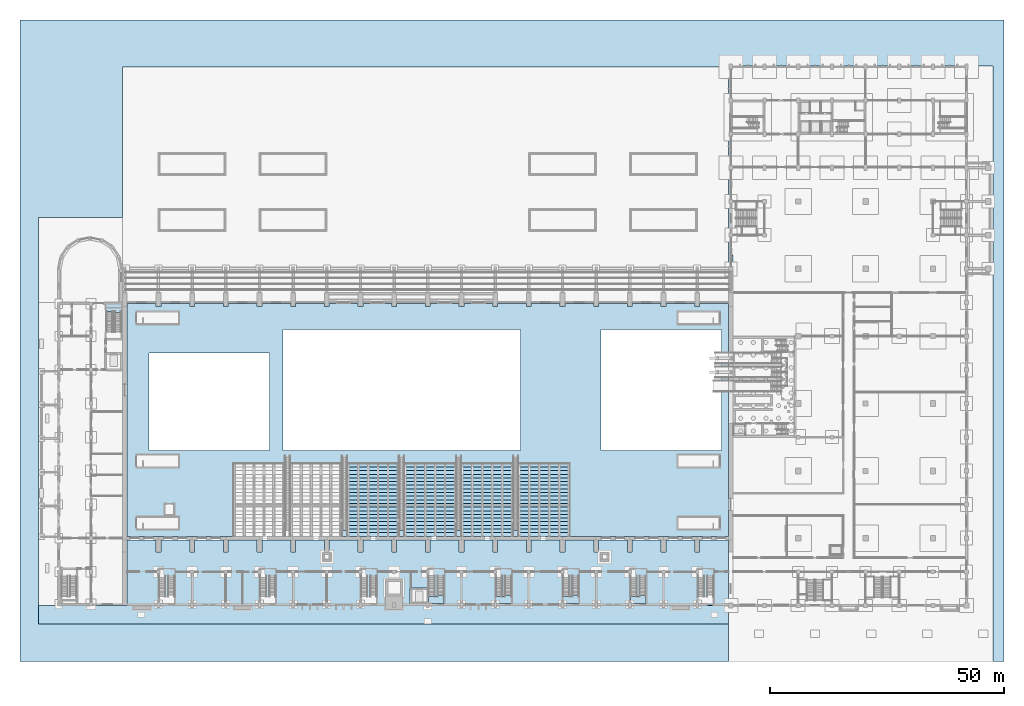
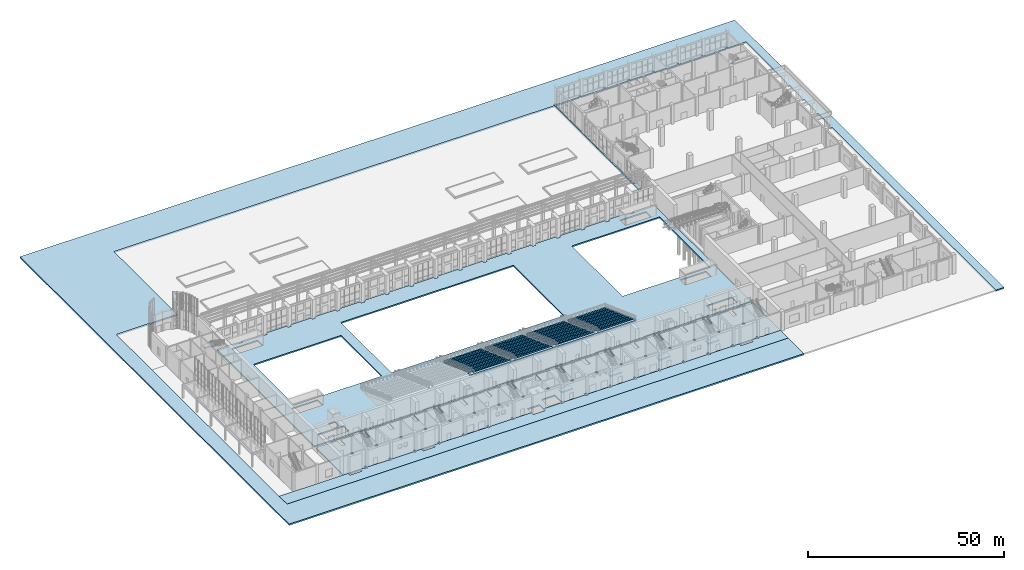
# One storey, part 30 of 70: 17 slabs, 9 elements without a shape of their own.
"""IFC4 building model written with IfcOpenShell, lengths in metres."""

from ifc_helpers import new_model, si_unit, direction, frame, origin, place, context, subcontext, project, spatial, polyline, outline, extrude, material, layer, layer_set, type_object, element, aggregate, save


model = new_model("IFC4")

# Units and contexts
model_context = context("Model", 3, precision=1e-05, world=origin(), true_north=direction((0.0, 1.0)))
body_context = subcontext(model_context, "Body", "Model", "MODEL_VIEW")
ifc_project = project(units=[si_unit("LENGTHUNIT", "METRE"), si_unit("AREAUNIT", "SQUARE_METRE"), si_unit("VOLUMEUNIT", "CUBIC_METRE"), si_unit("PLANEANGLEUNIT", "RADIAN"), si_unit("MASSUNIT", "GRAM", prefix="KILO")], contexts=[model_context])

# Site, building, storey
site_placement = place(None, origin())
site = spatial("IfcSite", under=ifc_project, at=site_placement, CompositionType="ELEMENT")
building_placement = place(site_placement, origin())
building = spatial("IfcBuilding", under=site, at=building_placement, Name="Vermilion Court Aquatics Centre", CompositionType="ELEMENT")
storey_placement = place(building_placement, origin())
storey = spatial("IfcBuildingStorey", under=building, at=storey_placement, Name="L00", CompositionType="ELEMENT", Elevation=0.0)

# Stair, slab
ifc_material_1 = material(Name="Concrete 5000 psi", Category="concrete")
stair_type_1 = type_object("IfcStairType", Name="Foyer exit stair", PredefinedType="HALF_TURN_STAIR", material=ifc_material_1)
stair_1_placement = place(storey_placement, origin())
stair_1 = element("IfcStair", 1, at=stair_1_placement, inside=storey, type_object=stair_type_1, Name="Exit stair F2", PredefinedType="HALF_TURN_STAIR")
ifc_material_2 = material(Name="Concrete 5000 psi", Category="concrete")
ifc_layer_1 = layer(ifc_material_2, 0.425048828125)
ifc_layer_set_1 = layer_set([ifc_layer_1], Name="Foyer exit stair landing 425")
slab_type_1 = type_object("IfcSlabType", Name="Foyer exit stair landing 425", PredefinedType="LANDING", material=ifc_layer_set_1)
slab_1_placement = place(storey_placement, frame((0.0, 0.0, 2.574951171875)))
slab_1 = element("IfcSlab", 2, at=slab_1_placement, type_object=slab_type_1, Name="FST1 landing 1", PredefinedType="LANDING", context=body_context, shape_type="SweptSolid", body=[
    extrude(outline(polyline([(10.425048828125, 64.449951171875), (10.425048828125, 62.8798828125), (12.25, 62.8798828125), (12.25, 62.6298828125), (13.64990234375, 62.6298828125), (13.64990234375, 64.449951171875), (10.425048828125, 64.449951171875)])), origin(), (0.0, 0.0, 1.0), 0.425048828125),
])
aggregate(stair_1, [slab_1])

# Slabs
ifc_material_3 = material(Name="Concrete 5000 psi", Category="concrete")
ifc_layer_2 = layer(ifc_material_3, 0.405029296875)
ifc_layer_set_2 = layer_set([ifc_layer_2], Name="Hall pool deck slab 405")
slab_type_2 = type_object("IfcSlabType", Name="Hall pool deck slab 405", PredefinedType="FLOOR", material=ifc_layer_set_2)
slab_2_placement = place(storey_placement, frame((0.0, 0.0, -0.405029296875)))
element("IfcSlab", 3, at=slab_2_placement, inside=storey, type_object=slab_type_2, Name="Pool deck slab", PredefinedType="FLOOR", context=body_context, shape_type="SweptSolid", body=[
    extrude(outline(polyline([(14.89990234375, 64.550048828125), (21.10009765625, 64.550048828125), (21.10009765625, 63.89990234375), (22.10009765625, 63.89990234375), (22.10009765625, 64.550048828125), (28.300048828125, 64.550048828125), (28.300048828125, 63.89990234375), (29.300048828125, 63.89990234375), (29.300048828125, 64.550048828125), (35.5, 64.550048828125), (35.5, 63.89990234375), (36.5, 63.89990234375), (36.5, 64.550048828125), (42.699951171875, 64.550048828125), (42.699951171875, 63.89990234375), (43.699951171875, 63.89990234375), (43.699951171875, 64.550048828125), (49.89990234375, 64.550048828125), (49.89990234375, 63.89990234375), (50.89990234375, 63.89990234375), (50.89990234375, 64.550048828125), (57.10009765625, 64.550048828125), (57.10009765625, 63.89990234375), (58.10009765625, 63.89990234375), (58.10009765625, 64.550048828125), (64.300048828125, 64.550048828125), (64.300048828125, 63.89990234375), (65.300048828125, 63.89990234375), (65.300048828125, 64.550048828125), (71.5, 64.550048828125), (71.5, 63.89990234375), (72.5, 63.89990234375), (72.5, 64.550048828125), (78.699951171875, 64.550048828125), (78.699951171875, 63.89990234375), (79.699951171875, 63.89990234375), (79.699951171875, 64.550048828125), (85.89990234375, 64.550048828125), (85.89990234375, 63.89990234375), (86.89990234375, 63.89990234375), (86.89990234375, 64.550048828125), (93.10009765625, 64.550048828125), (93.10009765625, 63.89990234375), (94.10009765625, 63.89990234375), (94.10009765625, 64.550048828125), (100.300048828125, 64.550048828125), (100.300048828125, 63.89990234375), (101.300048828125, 63.89990234375), (101.300048828125, 64.550048828125), (107.5, 64.550048828125), (107.5, 63.89990234375), (108.5, 63.89990234375), (108.5, 64.550048828125), (114.699951171875, 64.550048828125), (114.699951171875, 63.89990234375), (115.699951171875, 63.89990234375), (115.699951171875, 64.550048828125), (121.89990234375, 64.550048828125), (121.89990234375, 63.89990234375), (122.89990234375, 63.89990234375), (122.89990234375, 64.550048828125), (129.10009765625, 64.550048828125), (129.10009765625, 63.89990234375), (130.10009765625, 63.89990234375), (130.10009765625, 64.550048828125), (136.300048828125, 64.550048828125), (136.300048828125, 63.89990234375), (137.300048828125, 63.89990234375), (137.300048828125, 64.550048828125), (143.5, 64.550048828125), (143.5, 63.89990234375), (143.5, 14.800048828125), (14.89990234375, 14.800048828125), (14.89990234375, 63.89990234375), (14.89990234375, 64.550048828125)]), holes=[polyline([(18.35009765625, 18.89990234375), (18.35009765625, 16.300048828125), (25.89990234375, 16.300048828125), (25.89990234375, 18.89990234375), (18.35009765625, 18.89990234375)]), polyline([(132.64990234375, 18.89990234375), (132.64990234375, 16.300048828125), (140.199951171875, 16.300048828125), (140.199951171875, 18.89990234375), (132.64990234375, 18.89990234375)]), polyline([(23.0, 21.699951171875), (23.0, 19.39990234375), (24.89990234375, 19.39990234375), (24.89990234375, 21.699951171875), (23.0, 21.699951171875)]), polyline([(25.89990234375, 32.199951171875), (18.35009765625, 32.199951171875), (18.35009765625, 29.60009765625), (25.89990234375, 29.60009765625), (25.89990234375, 32.199951171875)]), polyline([(140.199951171875, 32.199951171875), (132.64990234375, 32.199951171875), (132.64990234375, 29.60009765625), (140.199951171875, 29.60009765625), (140.199951171875, 32.199951171875)]), polyline([(19.60009765625, 54.0), (19.60009765625, 33.199951171875), (45.39990234375, 33.199951171875), (45.39990234375, 54.0), (19.60009765625, 54.0)]), polyline([(48.199951171875, 59.0), (48.199951171875, 33.199951171875), (99.0, 33.199951171875), (99.0, 59.0), (48.199951171875, 59.0)]), polyline([(116.199951171875, 59.0), (116.199951171875, 33.199951171875), (142.0, 33.199951171875), (142.0, 59.0), (116.199951171875, 59.0)]), polyline([(25.89990234375, 62.800048828125), (18.35009765625, 62.800048828125), (18.35009765625, 60.199951171875), (25.89990234375, 60.199951171875), (25.89990234375, 62.800048828125)]), polyline([(140.199951171875, 62.800048828125), (132.64990234375, 62.800048828125), (132.64990234375, 60.199951171875), (140.199951171875, 60.199951171875), (140.199951171875, 62.800048828125)])]), origin(), (0.0, 0.0, 1.0), 0.405029296875),
])
ifc_material_4 = material(Name="Concrete 4000 psi", Category="concrete")
ifc_layer_3 = layer(ifc_material_4, 0.449951171875)
ifc_layer_set_3 = layer_set([ifc_layer_3], Name="Site ground slab 450")
slab_type_3 = type_object("IfcSlabType", Name="Site ground slab 450", PredefinedType="FLOOR", material=ifc_layer_set_3)
slab_3_placement = place(storey_placement, frame((0.0, 0.0, -0.449951171875)))
element("IfcSlab", 4, at=slab_3_placement, inside=storey, type_object=slab_type_3, Name="Site ground slab", PredefinedType="FLOOR", context=body_context, shape_type="SweptSolid", body=[
    extrude(outline(polyline([(-8.0, 125.199951171875), (202.39990234375, 125.199951171875), (202.39990234375, -12.0), (199.9990234375, -12.0), (200.0, -12.0), (200.0, -11.9990234375), (200.0, 71.39892578125), (200.0, 71.39990234375), (199.9990234375, 71.39990234375), (199.60009765625, 71.39990234375), (199.60009765625, 72.60009765625), (199.9990234375, 72.60009765625), (200.0, 72.60009765625), (200.0, 72.60107421875), (200.0, 78.59912109375), (200.0, 78.60009765625), (199.9990234375, 78.60009765625), (198.449951171875, 78.60009765625), (198.449951171875, 78.60009765625), (199.60009765625, 78.60009765625), (199.60009765625, 79.800048828125), (199.9990234375, 79.800048828125), (200.0, 79.800048828125), (200.0, 79.801025390625), (200.0, 85.799072265625), (200.0, 85.800048828125), (199.9990234375, 85.800048828125), (198.449951171875, 85.800048828125), (198.449951171875, 85.800048828125), (199.60009765625, 85.800048828125), (199.60009765625, 87.0), (199.9990234375, 87.0), (200.0, 87.0), (200.0, 87.0009765625), (200.0, 92.9990234375), (200.0, 93.0), (199.9990234375, 93.0), (199.60009765625, 93.0), (199.60009765625, 94.199951171875), (198.449951171875, 94.199951171875), (198.449951171875, 94.199951171875), (199.9990234375, 94.199951171875), (200.0, 94.199951171875), (200.0, 94.200927734375), (200.0, 115.34912109375), (200.0, 115.35009765625), (199.9990234375, 115.35009765625), (194.75, 115.35009765625), (194.75, 115.75), (194.050048828125, 115.75), (194.050048828125, 115.35009765625), (187.550048828125, 115.35009765625), (187.550048828125, 115.75), (186.85009765625, 115.75), (186.85009765625, 115.35009765625), (180.35009765625, 115.35009765625), (180.35009765625, 115.75), (179.64990234375, 115.75), (179.64990234375, 115.35009765625), (173.14990234375, 115.35009765625), (173.14990234375, 115.75), (172.449951171875, 115.75), (172.449951171875, 115.35009765625), (165.949951171875, 115.35009765625), (165.949951171875, 115.75), (165.25, 115.75), (165.25, 115.35009765625), (158.75, 115.35009765625), (158.75, 115.75), (158.050048828125, 115.75), (158.050048828125, 115.35009765625), (151.550048828125, 115.35009765625), (151.550048828125, 115.75), (150.85009765625, 115.75), (150.85009765625, 115.35009765625), (144.35009765625, 115.35009765625), (144.35009765625, 115.75), (143.64990234375, 115.75), (143.64990234375, 114.64990234375), (143.85009765625, 114.64990234375), (143.85009765625, 108.550048828125), (143.64990234375, 108.550048828125), (143.64990234375, 107.449951171875), (143.85009765625, 107.449951171875), (143.85009765625, 101.35009765625), (143.64990234375, 101.35009765625), (143.64990234375, 100.25), (143.85009765625, 100.25), (143.85009765625, 94.14990234375), (143.64990234375, 94.14990234375), (143.64990234375, 93.050048828125), (143.85009765625, 93.050048828125), (143.85009765625, 86.85009765625), (143.60009765625, 86.85009765625), (143.60009765625, 85.949951171875), (143.85009765625, 85.949951171875), (143.85009765625, 79.64990234375), (143.60009765625, 79.64990234375), (143.60009765625, 78.75), (143.85009765625, 78.75), (143.85009765625, 75.0009765625), (143.85009765625, 75.0), (143.85107421875, 75.0), (144.449951171875, 75.0), (144.455078125, 75.0), (144.4599609375, 74.9990234375), (144.465087890625, 74.998046875), (144.468994140625, 74.99609375), (144.47412109375, 74.993896484375), (144.47802734375, 74.991943359375), (144.48193359375, 74.989013671875), (144.485107421875, 74.985107421875), (144.489013671875, 74.98193359375), (144.491943359375, 74.97802734375), (144.493896484375, 74.97412109375), (144.49609375, 74.968994140625), (144.498046875, 74.965087890625), (144.4990234375, 74.9599609375), (144.5, 74.955078125), (144.5, 74.949951171875), (144.5, 72.449951171875), (143.5, 72.449951171875), (143.5, 115.198974609375), (143.5, 115.199951171875), (143.4990234375, 115.199951171875), (13.90087890625, 115.199951171875), (13.89990234375, 115.199951171875), (13.89990234375, 115.198974609375), (13.89990234375, 83.050048828125), (13.89990234375, 83.044921875), (13.89892578125, 83.0400390625), (13.89794921875, 83.034912109375), (13.89599609375, 83.031005859375), (13.89404296875, 83.02587890625), (13.89208984375, 83.02197265625), (13.888916015625, 83.01806640625), (13.885009765625, 83.014892578125), (13.882080078125, 83.010986328125), (13.8779296875, 83.008056640625), (13.8740234375, 83.006103515625), (13.868896484375, 83.00390625), (13.864990234375, 83.001953125), (13.860107421875, 83.0009765625), (13.85498046875, 83.0), (13.85009765625, 83.0), (-3.9990234375, 83.0), (-4.0, 83.0), (-4.0, 82.9990234375), (-4.0, -3.9990234375), (-4.0, -4.0), (-3.9990234375, -4.0), (143.449951171875, -4.0), (143.455078125, -4.0), (143.4599609375, -4.0009765625), (143.465087890625, -4.001953125), (143.468994140625, -4.00390625), (143.47412109375, -4.006103515625), (143.47802734375, -4.008056640625), (143.48193359375, -4.010986328125), (143.485107421875, -4.014892578125), (143.489013671875, -4.01806640625), (143.491943359375, -4.02197265625), (143.493896484375, -4.02587890625), (143.49609375, -4.031005859375), (143.498046875, -4.034912109375), (143.4990234375, -4.0400390625), (143.5, -4.044921875), (143.5, -4.050048828125), (143.5, -11.9990234375), (143.5, -12.0), (143.5009765625, -12.0), (-8.0, -12.0), (-8.0, 125.199951171875)])), origin(), (0.0, 0.0, 1.0), 0.449951171875),
])

# Stair, slab
ifc_material_5 = material(Name="Concrete 5000 psi", Category="concrete")
stair_type_2 = type_object("IfcStairType", Name="South exit stair", PredefinedType="HALF_TURN_STAIR", material=ifc_material_5)
stair_2_placement = place(storey_placement, origin())
stair_2 = element("IfcStair", 5, at=stair_2_placement, inside=storey, type_object=stair_type_2, Name="Exit stair S4", PredefinedType="HALF_TURN_STAIR")
ifc_material_6 = material(Name="Concrete 5000 psi", Category="concrete")
ifc_layer_4 = layer(ifc_material_6, 0.199951171875)
ifc_layer_set_4 = layer_set([ifc_layer_4], Name="South exit stair landing 200")
slab_type_4 = type_object("IfcSlabType", Name="South exit stair landing 200", PredefinedType="LANDING", material=ifc_layer_set_4)
slab_4_placement = place(storey_placement, frame((0.0, 0.0, 2.594970703125)))
slab_4 = element("IfcSlab", 6, at=slab_4_placement, type_object=slab_type_4, Name="SST1 landing 1", PredefinedType="LANDING", context=body_context, shape_type="SweptSolid", body=[
    extrude(outline(polyline([(79.324951171875, 0.39990234375), (82.675048828125, 0.39990234375), (82.675048828125, 2.219970703125), (81.27490234375, 2.219970703125), (81.27490234375, 1.969970703125), (79.324951171875, 1.969970703125), (79.324951171875, 0.39990234375)])), origin(), (0.0, 0.0, 1.0), 0.405029296875),
])
aggregate(stair_2, [slab_4])

stair_3_placement = place(storey_placement, origin())
stair_3 = element("IfcStair", 7, at=stair_3_placement, inside=storey, type_object=stair_type_2, Name="Exit stair S5", PredefinedType="HALF_TURN_STAIR")
slab_5_placement = place(storey_placement, frame((0.0, 0.0, 2.594970703125)))
slab_5 = element("IfcSlab", 8, at=slab_5_placement, type_object=slab_type_4, Name="SST1 landing 1", PredefinedType="LANDING", context=body_context, shape_type="SweptSolid", body=[
    extrude(outline(polyline([(93.72509765625, 0.39990234375), (97.074951171875, 0.39990234375), (97.074951171875, 2.219970703125), (95.675048828125, 2.219970703125), (95.675048828125, 1.969970703125), (93.72509765625, 1.969970703125), (93.72509765625, 0.39990234375)])), origin(), (0.0, 0.0, 1.0), 0.405029296875),
])
aggregate(stair_3, [slab_5])

stair_4_placement = place(storey_placement, origin())
stair_4 = element("IfcStair", 9, at=stair_4_placement, inside=storey, type_object=stair_type_2, Name="Exit stair S6", PredefinedType="HALF_TURN_STAIR")
slab_6_placement = place(storey_placement, frame((0.0, 0.0, 2.594970703125)))
slab_6 = element("IfcSlab", 10, at=slab_6_placement, type_object=slab_type_4, Name="SST1 landing 1", PredefinedType="LANDING", context=body_context, shape_type="SweptSolid", body=[
    extrude(outline(polyline([(108.125, 0.39990234375), (111.47509765625, 0.39990234375), (111.47509765625, 2.219970703125), (110.074951171875, 2.219970703125), (110.074951171875, 1.969970703125), (108.125, 1.969970703125), (108.125, 0.39990234375)])), origin(), (0.0, 0.0, 1.0), 0.405029296875),
])
aggregate(stair_4, [slab_6])

stair_5_placement = place(storey_placement, origin())
stair_5 = element("IfcStair", 11, at=stair_5_placement, inside=storey, type_object=stair_type_2, Name="Exit stair S7", PredefinedType="HALF_TURN_STAIR")
slab_7_placement = place(storey_placement, frame((0.0, 0.0, 2.594970703125)))
slab_7 = element("IfcSlab", 12, at=slab_7_placement, type_object=slab_type_4, Name="SST1 landing 1", PredefinedType="LANDING", context=body_context, shape_type="SweptSolid", body=[
    extrude(outline(polyline([(122.52490234375, 0.39990234375), (125.875, 0.39990234375), (125.875, 2.219970703125), (124.47509765625, 2.219970703125), (124.47509765625, 1.969970703125), (122.52490234375, 1.969970703125), (122.52490234375, 0.39990234375)])), origin(), (0.0, 0.0, 1.0), 0.405029296875),
])
aggregate(stair_5, [slab_7])

# Slabs
ifc_material_7 = material(Name="Concrete 5000 psi", Category="concrete")
ifc_layer_5 = layer(ifc_material_7, 0.405029296875)
ifc_layer_set_5 = layer_set([ifc_layer_5], Name="South ground slab 405")
slab_type_5 = type_object("IfcSlabType", Name="South ground slab 405", PredefinedType="BASESLAB", material=ifc_layer_set_5)
slab_8_placement = place(storey_placement, frame((0.0, 0.0, -0.405029296875)))
element("IfcSlab", 13, at=slab_8_placement, inside=storey, type_object=slab_type_5, Name="South range ground slab", PredefinedType="BASESLAB", context=body_context, shape_type="SweptSolid", body=[
    extrude(outline(polyline([(14.89990234375, 0.0), (14.89990234375, 14.0), (21.10009765625, 14.0), (21.10009765625, 11.39990234375), (22.10009765625, 11.39990234375), (22.10009765625, 14.0), (28.300048828125, 14.0), (28.300048828125, 11.39990234375), (29.300048828125, 11.39990234375), (29.300048828125, 14.0), (35.5, 14.0), (35.5, 11.39990234375), (36.5, 11.39990234375), (36.5, 14.0), (42.699951171875, 14.0), (42.699951171875, 11.39990234375), (43.699951171875, 11.39990234375), (43.699951171875, 14.0), (49.89990234375, 14.0), (49.89990234375, 11.39990234375), (50.89990234375, 11.39990234375), (50.89990234375, 14.0), (57.10009765625, 14.0), (57.10009765625, 11.39990234375), (58.10009765625, 11.39990234375), (58.10009765625, 14.0), (64.300048828125, 14.0), (64.300048828125, 11.39990234375), (65.300048828125, 11.39990234375), (65.300048828125, 14.0), (71.5, 14.0), (71.5, 11.39990234375), (72.5, 11.39990234375), (72.5, 14.0), (78.699951171875, 14.0), (78.699951171875, 11.39990234375), (79.699951171875, 11.39990234375), (79.699951171875, 14.0), (85.89990234375, 14.0), (85.89990234375, 11.39990234375), (86.89990234375, 11.39990234375), (86.89990234375, 14.0), (93.10009765625, 14.0), (93.10009765625, 11.39990234375), (94.10009765625, 11.39990234375), (94.10009765625, 14.0), (100.300048828125, 14.0), (100.300048828125, 11.39990234375), (101.300048828125, 11.39990234375), (101.300048828125, 14.0), (107.5, 14.0), (107.5, 11.39990234375), (108.5, 11.39990234375), (108.5, 14.0), (114.699951171875, 14.0), (114.699951171875, 11.39990234375), (115.699951171875, 11.39990234375), (115.699951171875, 14.0), (121.89990234375, 14.0), (121.89990234375, 11.39990234375), (122.89990234375, 11.39990234375), (122.89990234375, 14.0), (129.10009765625, 14.0), (129.10009765625, 11.39990234375), (130.10009765625, 11.39990234375), (130.10009765625, 14.0), (136.300048828125, 14.0), (136.300048828125, 11.39990234375), (137.300048828125, 11.39990234375), (137.300048828125, 14.0), (143.5, 14.0), (143.5, 0.449951171875), (143.550048828125, 0.449951171875), (143.550048828125, 0.0), (143.5, 0.0), (137.10009765625, 0.0), (137.10009765625, 0.60009765625), (136.5, 0.60009765625), (136.5, 0.0), (129.89990234375, 0.0), (129.89990234375, 0.60009765625), (129.300048828125, 0.60009765625), (129.300048828125, 0.0), (122.699951171875, 0.0), (122.699951171875, 0.60009765625), (122.10009765625, 0.60009765625), (122.10009765625, 0.0), (115.5, 0.0), (115.5, 0.60009765625), (114.89990234375, 0.60009765625), (114.89990234375, 0.0), (108.300048828125, 0.0), (108.300048828125, 0.60009765625), (107.699951171875, 0.60009765625), (107.699951171875, 0.0), (101.10009765625, 0.0), (101.10009765625, 0.60009765625), (100.5, 0.60009765625), (100.5, 0.0), (93.89990234375, 0.0), (93.89990234375, 0.60009765625), (93.300048828125, 0.60009765625), (93.300048828125, 0.0), (86.699951171875, 0.0), (86.699951171875, 0.60009765625), (86.10009765625, 0.60009765625), (86.10009765625, 0.0), (79.5, 0.0), (79.5, 0.60009765625), (79.324951171875, 0.60009765625), (79.324951171875, 3.77490234375), (75.425048828125, 3.77490234375), (75.425048828125, 0.39990234375), (78.89990234375, 0.39990234375), (78.89990234375, 0.0), (73.800048828125, 0.0), (73.800048828125, 2.0), (70.199951171875, 2.0), (70.199951171875, 0.0), (65.10009765625, 0.0), (65.10009765625, 0.60009765625), (64.5, 0.60009765625), (64.5, 0.0), (57.89990234375, 0.0), (57.89990234375, 0.60009765625), (57.300048828125, 0.60009765625), (57.300048828125, 0.0), (50.699951171875, 0.0), (50.699951171875, 0.60009765625), (50.10009765625, 0.60009765625), (50.10009765625, 0.0), (43.5, 0.0), (43.5, 0.60009765625), (42.89990234375, 0.60009765625), (42.89990234375, 0.0), (36.300048828125, 0.0), (36.300048828125, 0.60009765625), (35.699951171875, 0.60009765625), (35.699951171875, 0.0), (29.10009765625, 0.0), (29.10009765625, 0.60009765625), (28.5, 0.60009765625), (28.5, 0.0), (21.89990234375, 0.0), (21.89990234375, 0.60009765625), (21.300048828125, 0.60009765625), (21.300048828125, 0.0), (14.89990234375, 0.0)]), holes=[polyline([(50.699951171875, 6.89990234375), (50.699951171875, 7.5), (50.10009765625, 7.5), (50.10009765625, 6.89990234375), (50.699951171875, 6.89990234375)]), polyline([(72.300048828125, 6.89990234375), (72.300048828125, 7.5), (71.699951171875, 7.5), (71.699951171875, 6.89990234375), (72.300048828125, 6.89990234375)]), polyline([(65.10009765625, 6.89990234375), (65.10009765625, 7.5), (64.5, 7.5), (64.5, 6.89990234375), (65.10009765625, 6.89990234375)]), polyline([(57.89990234375, 6.89990234375), (57.89990234375, 7.5), (57.300048828125, 7.5), (57.300048828125, 6.89990234375), (57.89990234375, 6.89990234375)]), polyline([(43.5, 6.89990234375), (43.5, 7.5), (42.89990234375, 7.5), (42.89990234375, 6.89990234375), (43.5, 6.89990234375)]), polyline([(36.300048828125, 6.89990234375), (36.300048828125, 7.5), (35.699951171875, 7.5), (35.699951171875, 6.89990234375), (36.300048828125, 6.89990234375)]), polyline([(28.5, 6.89990234375), (29.10009765625, 6.89990234375), (29.10009765625, 7.5), (28.5, 7.5), (28.5, 6.89990234375)]), polyline([(21.300048828125, 6.89990234375), (21.89990234375, 6.89990234375), (21.89990234375, 7.5), (21.300048828125, 7.5), (21.300048828125, 6.89990234375)]), polyline([(137.10009765625, 6.89990234375), (137.10009765625, 7.5), (136.5, 7.5), (136.5, 6.89990234375), (137.10009765625, 6.89990234375)]), polyline([(129.89990234375, 6.89990234375), (129.89990234375, 7.5), (129.300048828125, 7.5), (129.300048828125, 6.89990234375), (129.89990234375, 6.89990234375)]), polyline([(122.699951171875, 6.89990234375), (122.699951171875, 7.5), (122.10009765625, 7.5), (122.10009765625, 6.89990234375), (122.699951171875, 6.89990234375)]), polyline([(115.5, 6.89990234375), (115.5, 7.5), (114.89990234375, 7.5), (114.89990234375, 6.89990234375), (115.5, 6.89990234375)]), polyline([(108.300048828125, 6.89990234375), (108.300048828125, 7.5), (107.699951171875, 7.5), (107.699951171875, 6.89990234375), (108.300048828125, 6.89990234375)]), polyline([(101.10009765625, 6.89990234375), (101.10009765625, 7.5), (100.5, 7.5), (100.5, 6.89990234375), (101.10009765625, 6.89990234375)]), polyline([(93.89990234375, 6.89990234375), (93.89990234375, 7.5), (93.300048828125, 7.5), (93.300048828125, 6.89990234375), (93.89990234375, 6.89990234375)]), polyline([(86.10009765625, 6.89990234375), (86.699951171875, 6.89990234375), (86.699951171875, 7.5), (86.10009765625, 7.5), (86.10009765625, 6.89990234375)]), polyline([(78.89990234375, 6.89990234375), (79.5, 6.89990234375), (79.5, 7.5), (78.89990234375, 7.5), (78.89990234375, 6.89990234375)])]), origin(), (0.0, 0.0, 1.0), 0.405029296875),
])
ifc_material_8 = material(Name="Concrete 4000 psi", Category="concrete")
ifc_layer_6 = layer(ifc_material_8, 0.449951171875)
ifc_layer_set_6 = layer_set([ifc_layer_6], Name="South street paving slab 450")
slab_type_6 = type_object("IfcSlabType", Name="South street paving slab 450", PredefinedType="FLOOR", material=ifc_layer_set_6)
slab_9_placement = place(storey_placement, frame((0.0, 0.0, -0.449951171875)))
element("IfcSlab", 14, at=slab_9_placement, inside=storey, type_object=slab_type_6, Name="South street paving", PredefinedType="FLOOR", context=body_context, shape_type="SweptSolid", body=[
    extrude(outline(polyline([(143.5, 0.0), (143.5, -0.14990234375), (143.550048828125, -0.14990234375), (143.550048828125, -0.449951171875), (143.5, -0.449951171875), (143.5, -4.0), (-4.0, -4.0), (-4.0, 0.0), (16.31298828125, 0.0), (16.31298828125, -0.89990234375), (19.9130859375, -0.89990234375), (19.9130859375, 0.0), (21.300048828125, 0.0), (21.300048828125, -0.300048828125), (21.89990234375, -0.300048828125), (21.89990234375, 0.0), (28.5, 0.0), (28.5, -0.300048828125), (29.10009765625, -0.300048828125), (29.10009765625, 0.0), (35.699951171875, 0.0), (35.699951171875, -0.300048828125), (36.300048828125, -0.300048828125), (36.300048828125, 0.0), (37.800048828125, 0.0), (37.800048828125, -0.89990234375), (41.39990234375, -0.89990234375), (41.39990234375, 0.0), (42.89990234375, 0.0), (42.89990234375, -0.300048828125), (43.5, -0.300048828125), (43.5, 0.0), (50.10009765625, 0.0), (50.10009765625, -0.300048828125), (50.699951171875, -0.300048828125), (50.699951171875, 0.0), (57.300048828125, 0.0), (57.300048828125, -0.300048828125), (57.89990234375, -0.300048828125), (57.89990234375, 0.0), (64.5, 0.0), (64.5, -0.300048828125), (65.10009765625, -0.300048828125), (65.10009765625, 0.0), (70.199951171875, 0.0), (70.199951171875, -0.89990234375), (73.800048828125, -0.89990234375), (73.800048828125, 0.0), (78.89990234375, 0.0), (78.89990234375, -0.300048828125), (79.5, -0.300048828125), (79.5, 0.0), (86.10009765625, 0.0), (86.10009765625, -0.300048828125), (86.699951171875, -0.300048828125), (86.699951171875, 0.0), (93.300048828125, 0.0), (93.300048828125, -0.300048828125), (93.89990234375, -0.300048828125), (93.89990234375, 0.0), (100.5, 0.0), (100.5, -0.300048828125), (101.10009765625, -0.300048828125), (101.10009765625, 0.0), (107.699951171875, 0.0), (107.699951171875, -0.300048828125), (108.300048828125, -0.300048828125), (108.300048828125, 0.0), (114.89990234375, 0.0), (114.89990234375, -0.300048828125), (115.5, -0.300048828125), (115.5, 0.0), (122.10009765625, 0.0), (122.10009765625, -0.300048828125), (122.699951171875, -0.300048828125), (122.699951171875, 0.0), (129.300048828125, 0.0), (129.300048828125, -0.300048828125), (129.89990234375, -0.300048828125), (129.89990234375, 0.0), (131.39990234375, 0.0), (131.39990234375, -0.89990234375), (135.0, -0.89990234375), (135.0, 0.0), (136.5, 0.0), (136.5, -0.300048828125), (137.10009765625, -0.300048828125), (137.10009765625, 0.0), (143.5, 0.0)])), origin(), (0.0, 0.0, 1.0), 0.449951171875),
])

# Stair, slab
ifc_material_9 = material(Name="Concrete 5000 psi", Category="concrete")
stair_type_3 = type_object("IfcStairType", Name="Tribune aisle stair", PredefinedType="STRAIGHT_RUN_STAIR", material=ifc_material_9)
stair_6_placement = place(storey_placement, origin())
stair_6 = element("IfcStair", 15, at=stair_6_placement, inside=storey, type_object=stair_type_3, Name="Aisle stair 2", PredefinedType="STRAIGHT_RUN_STAIR")
ifc_material_10 = material(Name="Concrete 5000 psi", Category="concrete")
ifc_layer_7 = layer(ifc_material_10, 0.199951171875)
ifc_layer_set_7 = layer_set([ifc_layer_7], Name="Tribune aisle stair landing 200")
slab_type_7 = type_object("IfcSlabType", Name="Tribune aisle stair landing 200", PredefinedType="LANDING", material=ifc_layer_set_7)
slab_10_placement = place(storey_placement, frame((0.0, 0.0, 5.800048828125)))
slab_10 = element("IfcSlab", 16, at=slab_10_placement, type_object=slab_type_7, Name="TST1 landing 1", PredefinedType="LANDING", context=body_context, shape_type="SweptSolid", body=[
    extrude(outline(polyline([(60.800048828125, 14.800048828125), (62.0, 14.800048828125), (62.0, 16.0), (60.800048828125, 16.0), (60.800048828125, 14.800048828125)])), origin(), (0.0, 0.0, 1.0), 0.199951171875),
])
aggregate(stair_6, [slab_10])

stair_7_placement = place(storey_placement, origin())
stair_7 = element("IfcStair", 17, at=stair_7_placement, inside=storey, type_object=stair_type_3, Name="Aisle stair 3", PredefinedType="STRAIGHT_RUN_STAIR")
slab_11_placement = place(storey_placement, frame((0.0, 0.0, 5.800048828125)))
slab_11 = element("IfcSlab", 18, at=slab_11_placement, type_object=slab_type_7, Name="TST1 landing 1", PredefinedType="LANDING", context=body_context, shape_type="SweptSolid", body=[
    extrude(outline(polyline([(73.0, 14.800048828125), (74.199951171875, 14.800048828125), (74.199951171875, 16.0), (73.0, 16.0), (73.0, 14.800048828125)])), origin(), (0.0, 0.0, 1.0), 0.199951171875),
])
aggregate(stair_7, [slab_11])

stair_8_placement = place(storey_placement, origin())
stair_8 = element("IfcStair", 19, at=stair_8_placement, inside=storey, type_object=stair_type_3, Name="Aisle stair 4", PredefinedType="STRAIGHT_RUN_STAIR")
slab_12_placement = place(storey_placement, frame((0.0, 0.0, 5.800048828125)))
slab_12 = element("IfcSlab", 20, at=slab_12_placement, type_object=slab_type_7, Name="TST1 landing 1", PredefinedType="LANDING", context=body_context, shape_type="SweptSolid", body=[
    extrude(outline(polyline([(85.199951171875, 14.800048828125), (86.39990234375, 14.800048828125), (86.39990234375, 16.0), (85.199951171875, 16.0), (85.199951171875, 14.800048828125)])), origin(), (0.0, 0.0, 1.0), 0.199951171875),
])
aggregate(stair_8, [slab_12])

stair_9_placement = place(storey_placement, origin())
stair_9 = element("IfcStair", 21, at=stair_9_placement, inside=storey, type_object=stair_type_3, Name="Aisle stair 5", PredefinedType="STRAIGHT_RUN_STAIR")
slab_13_placement = place(storey_placement, frame((0.0, 0.0, 5.800048828125)))
slab_13 = element("IfcSlab", 22, at=slab_13_placement, type_object=slab_type_7, Name="TST1 landing 1", PredefinedType="LANDING", context=body_context, shape_type="SweptSolid", body=[
    extrude(outline(polyline([(97.39990234375, 14.800048828125), (98.60009765625, 14.800048828125), (98.60009765625, 16.0), (97.39990234375, 16.0), (97.39990234375, 14.800048828125)])), origin(), (0.0, 0.0, 1.0), 0.199951171875),
])
aggregate(stair_9, [slab_13])

# Slabs
ifc_material_11 = material(Name="Concrete 5000 psi", Category="concrete")
ifc_layer_8 = layer(ifc_material_11, 0.263916015625)
ifc_layer_set_8 = layer_set([ifc_layer_8], Name="Tribune stepped seating tier")
slab_type_8 = type_object("IfcSlabType", Name="Tribune stepped seating tier", PredefinedType="USERDEFINED", material=ifc_layer_set_8)
for number, where, z_axis, x_axis, name in (
    (23, (67.5, 30.39990234375, 0.021484375), (0.0, 0.0, 1.0), (0.0, -1.0, 0.0), "Stand A Bay 3"),
    (24, (79.699951171875, 30.39990234375, 0.021484375), (0.0, 0.0, 1.0), (0.0, -1.0, 0.0), "Stand A Bay 4"),
    (25, (91.89990234375, 30.39990234375, 0.021484375), (0.0, 0.0, 1.0), (0.0, -1.0, 0.0), "Stand A Bay 5"),
    (26, (104.10009765625, 30.39990234375, 0.021484375), (0.0, 0.0, 1.0), (0.0, -1.0, 0.0), "Stand A Bay 6"),
):
    element("IfcSlab", number, at=place(storey_placement, frame(where, z_axis=z_axis, x_axis=x_axis)), inside=storey, type_object=slab_type_8, Name=name, ObjectType="SEATING TIER", PredefinedType="USERDEFINED", context=body_context, shape_type="SweptSolid", body=[
        extrude(outline(polyline([(0.0, 0.0), (15.60009765625, 5.714111328125), (15.60009765625, 5.978515625), (14.820068359375, 5.978515625), (14.820068359375, 5.69287109375), (14.0400390625, 5.69287109375), (14.0400390625, 5.406982421875), (13.260009765625, 5.406982421875), (13.260009765625, 5.121337890625), (12.47998046875, 5.121337890625), (12.47998046875, 4.835693359375), (11.699951171875, 4.835693359375), (11.699951171875, 4.550048828125), (10.919921875, 4.550048828125), (10.919921875, 4.26416015625), (10.139892578125, 4.26416015625), (10.139892578125, 3.978515625), (9.360107421875, 3.978515625), (9.360107421875, 3.69287109375), (8.580078125, 3.69287109375), (8.580078125, 3.406982421875), (7.800048828125, 3.406982421875), (7.800048828125, 3.121337890625), (7.02001953125, 3.121337890625), (7.02001953125, 2.835693359375), (6.239990234375, 2.835693359375), (6.239990234375, 2.550048828125), (5.4599609375, 2.550048828125), (5.4599609375, 2.26416015625), (4.679931640625, 2.26416015625), (4.679931640625, 1.978515625), (3.89990234375, 1.978515625), (3.89990234375, 1.69287109375), (3.1201171875, 1.69287109375), (3.1201171875, 1.406982421875), (2.340087890625, 1.406982421875), (2.340087890625, 1.121337890625), (1.56005859375, 1.121337890625), (1.56005859375, 0.835693359375), (0.780029296875, 0.835693359375), (0.780029296875, 0.550048828125), (0.0, 0.550048828125), (0.0, 0.0)])), frame((0.0, 5.5, 0.0), z_axis=(0.0, -1.0, 0.0), x_axis=(1.0, 0.0, 0.0)), (0.0, 0.0, 1.0), 11.0),
    ])

save(model, "model.ifc")
